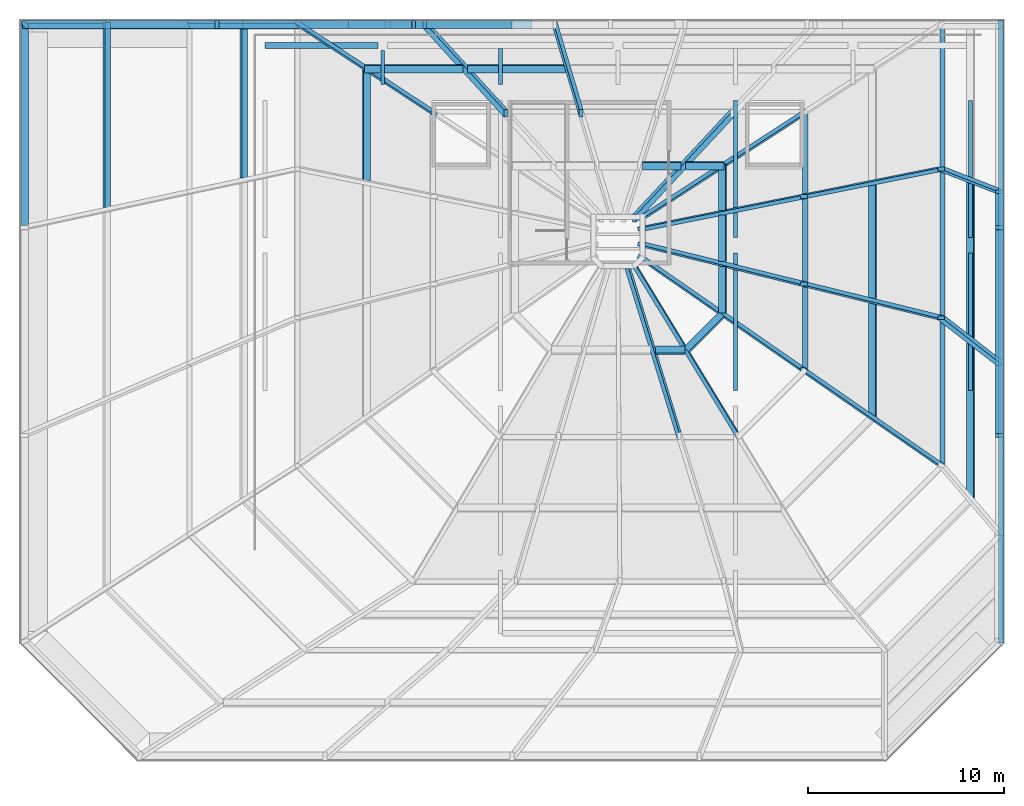
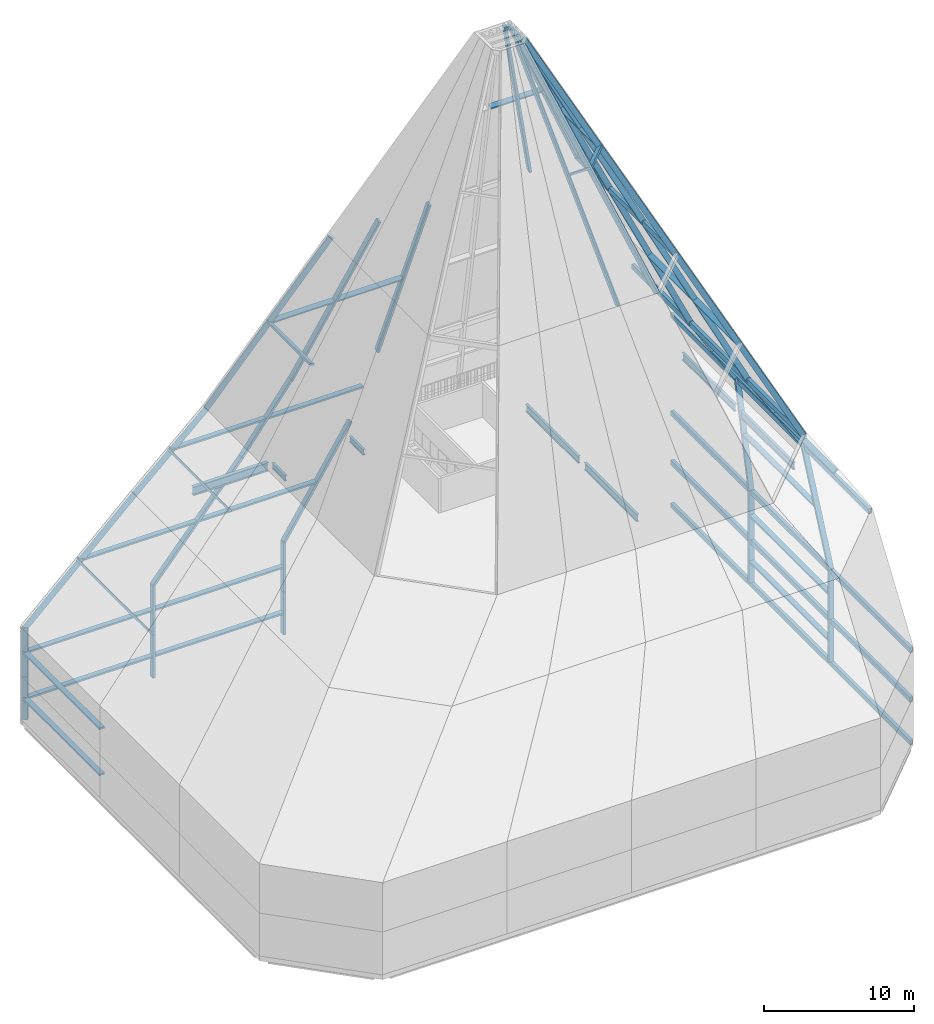
# One storey, part 3 of 7: 67 members, 7 beams.
"""IFC4 building model written with IfcOpenShell, lengths in metres."""

from ifc_helpers import new_model, si_unit, direction, frame, origin, origin_2d, place, context, subcontext, project, spatial, rectangle, i_section, extrude, material, material_profile, profile_set, type_object, element, save


model = new_model("IFC4")

# Units and contexts
model_context = context("Model", 3, precision=1e-05, world=origin(), true_north=direction((0.0, 1.0)))
body_context = subcontext(model_context, "Body", "Model", "MODEL_VIEW")
ifc_project = project(units=[si_unit("LENGTHUNIT", "METRE"), si_unit("AREAUNIT", "SQUARE_METRE"), si_unit("VOLUMEUNIT", "CUBIC_METRE"), si_unit("PLANEANGLEUNIT", "RADIAN"), si_unit("MASSUNIT", "GRAM", prefix="KILO")], contexts=[model_context])

# Site, building, storey
site_placement = place(None, origin())
site = spatial("IfcSite", under=ifc_project, at=site_placement, CompositionType="ELEMENT")
building_placement = place(site_placement, origin())
building = spatial("IfcBuilding", under=site, at=building_placement, Name="Sorahane Residences", CompositionType="ELEMENT")
storey_placement = place(building_placement, frame((0.0, 0.0, 357.800048828125)))
storey = spatial("IfcBuildingStorey", under=building, at=storey_placement, Name="RF", CompositionType="ELEMENT", Elevation=357.800048828125)

# Members
ifc_material_1 = material(Name="Steel Q355B", Category="steel")
ifc_material_profile_1 = material_profile(ifc_material_1, rectangle(XDim=0.199951171875, YDim=0.39990234375, at=origin_2d()), Name="CROWN FRAME hip rib Steel Q355B 200x400")
ifc_profile_set_1 = profile_set([ifc_material_profile_1], Name="Steel Q355B")
member_type_1 = type_object("IfcMemberType", Name="CROWN FRAME hip rib Steel Q355B 200x400", PredefinedType="RAFTER", material=ifc_profile_set_1)
for number, where, z_axis, x_axis, name in (
    (1, (43.469970703125, 28.10009765625, -15.47998046875), (0.0, 0.0, 1.0), (0.0, -1.0, 0.0), "CROWN FRAME hip rib 1.8"),
    (2, (43.469970703125, 38.699951171875, -15.47998046875), (0.0, 0.0, 1.0), (0.0, -1.0, 0.0), "CROWN FRAME hip rib 1.9"),
    (3, (13.580078125, 49.070068359375, -15.47998046875), (0.0, 0.0, 1.0), (1.0, 0.0, 0.0), "CROWN FRAME hip rib 1.13"),
    (4, (3.5400390625, 49.070068359375, -15.47998046875), (0.0, 0.0, 1.0), (1.0, 0.0, 0.0), "CROWN FRAME hip rib 1.14"),
    (5, (-6.2578125, 49.057861328125, -15.47998046875), (0.0, 0.0, 1.0), (0.707106781187, 0.707106781187, 0.0), "CROWN FRAME hip rib 1.15"),
):
    element("IfcMember", number, at=place(storey_placement, frame(where, z_axis=z_axis, x_axis=x_axis)), inside=storey, type_object=member_type_1, Name=name, PredefinedType="RAFTER", context=body_context, shape_type="SweptSolid", body=[
        extrude(rectangle(XDim=0.199951171875, YDim=0.39990234375, at=origin_2d()), origin(), (0.0, 0.0, 1.0), 3.47998046875),
    ])
for number, where, z_axis, x_axis, name in (
    (6, (43.469970703125, 28.10009765625, -12.0), (0.0, 0.0, 1.0), (0.0, -1.0, 0.0), "CROWN FRAME hip rib 2.8"),
    (7, (43.469970703125, 38.699951171875, -12.0), (0.0, 0.0, 1.0), (0.0, -1.0, 0.0), "CROWN FRAME hip rib 2.9"),
    (8, (13.580078125, 49.070068359375, -12.0), (0.0, 0.0, 1.0), (1.0, 0.0, 0.0), "CROWN FRAME hip rib 2.13"),
    (9, (3.5400390625, 49.070068359375, -12.0), (0.0, 0.0, 1.0), (1.0, 0.0, 0.0), "CROWN FRAME hip rib 2.14"),
    (10, (-6.2578125, 49.057861328125, -12.0), (0.0, 0.0, 1.0), (0.707106781187, 0.707106781187, 0.0), "CROWN FRAME hip rib 2.15"),
):
    element("IfcMember", number, at=place(storey_placement, frame(where, z_axis=z_axis, x_axis=x_axis)), inside=storey, type_object=member_type_1, Name=name, PredefinedType="RAFTER", context=body_context, shape_type="SweptSolid", body=[
        extrude(rectangle(XDim=0.199951171875, YDim=0.39990234375, at=origin_2d()), origin(), (0.0, 0.0, 1.0), 4.0),
    ])
member_1_placement = place(storey_placement, frame((43.469970703125, 28.10009765625, -8.0), z_axis=(0.0, 0.416639426094, 0.909071828089), x_axis=(0.0, -0.909071828089, 0.416639426094)))
element("IfcMember", 11, at=member_1_placement, inside=storey, type_object=member_type_1, Name="CROWN FRAME hip rib 3.8", PredefinedType="RAFTER", context=body_context, shape_type="SweptSolid", body=[
    extrude(rectangle(XDim=0.199951171875, YDim=0.39990234375, at=origin_2d()), origin(), (0.0, 0.0, 1.0), 8.80029296875),
])
member_2_placement = place(storey_placement, frame((43.469970703125, 38.699951171875, -8.0), z_axis=(0.0, 0.22336673556, 0.974734477407), x_axis=(0.0, -0.974734477407, 0.22336673556)))
element("IfcMember", 12, at=member_2_placement, inside=storey, type_object=member_type_1, Name="CROWN FRAME hip rib 3.9", PredefinedType="RAFTER", context=body_context, shape_type="SweptSolid", body=[
    extrude(rectangle(XDim=0.199951171875, YDim=0.39990234375, at=origin_2d()), origin(), (0.0, 0.0, 1.0), 8.207275390625),
])
member_3_placement = place(storey_placement, frame((13.580078125, 49.070068359375, -8.0), z_axis=(0.537546360324, 0.0, 0.843234196711), x_axis=(0.843234196711, 0.0, -0.537546360324)))
element("IfcMember", 13, at=member_3_placement, inside=storey, type_object=member_type_1, Name="CROWN FRAME hip rib 3.13", PredefinedType="RAFTER", context=body_context, shape_type="SweptSolid", body=[
    extrude(rectangle(XDim=0.199951171875, YDim=0.39990234375, at=origin_2d()), origin(), (0.0, 0.0, 1.0), 9.4873046875),
])
member_4_placement = place(storey_placement, frame((3.5400390625, 49.070068359375, -8.0), z_axis=(0.647651119943, 0.0, 0.761937022881), x_axis=(0.761937022881, 0.0, -0.647651119943)))
element("IfcMember", 14, at=member_4_placement, inside=storey, type_object=member_type_1, Name="CROWN FRAME hip rib 3.14", PredefinedType="RAFTER", context=body_context, shape_type="SweptSolid", body=[
    extrude(rectangle(XDim=0.199951171875, YDim=0.39990234375, at=origin_2d()), origin(), (0.0, 0.0, 1.0), 10.49951171875),
])
member_5_placement = place(storey_placement, frame((-6.333984375, 49.057861328125, -8.17626953125), z_axis=(0.728199992693, 0.0, 0.685364699005), x_axis=(0.484626026252, 0.707106781187, -0.514915152893)))
element("IfcMember", 15, at=member_5_placement, inside=storey, type_object=member_type_1, Name="CROWN FRAME hip rib 3.15", PredefinedType="RAFTER", context=body_context, shape_type="SweptSolid", body=[
    extrude(rectangle(XDim=0.199951171875, YDim=0.39990234375, at=origin_2d()), origin(), (0.0, 0.0, 1.0), 11.672607421875),
])
member_6_placement = place(storey_placement, frame((43.502685546875, 31.7666015625, -0.118408203125), z_axis=(-0.477665804048, 0.371543762621, 0.796109673413), x_axis=(-0.191180614139, -0.928415441406, 0.318582392696)))
element("IfcMember", 16, at=member_6_placement, inside=storey, type_object=member_type_1, Name="CROWN FRAME hip rib 4.8", PredefinedType="RAFTER", context=body_context, shape_type="SweptSolid", body=[
    extrude(rectangle(XDim=0.199951171875, YDim=0.39990234375, at=origin_2d()), origin(), (0.0, 0.0, 1.0), 6.280517578125),
])
member_7_placement = place(storey_placement, frame((43.502685546875, 40.533203125, -0.118408203125), z_axis=(-0.504495314603, 0.196206307657, 0.840825524339), x_axis=(-0.100963608897, -0.980562636698, 0.168235742903)))
element("IfcMember", 17, at=member_7_placement, inside=storey, type_object=member_type_1, Name="CROWN FRAME hip rib 4.9", PredefinedType="RAFTER", context=body_context, shape_type="SweptSolid", body=[
    extrude(rectangle(XDim=0.199951171875, YDim=0.39990234375, at=origin_2d()), origin(), (0.0, 0.0, 1.0), 5.946533203125),
])
member_8_placement = place(storey_placement, frame((10.340087890625, 49.070068359375, 0.0), z_axis=(0.605063553434, 0.0, 0.796177176454), x_axis=(0.796177176454, 0.0, -0.605063553434)))
element("IfcMember", 18, at=member_8_placement, inside=storey, type_object=member_type_1, Name="CROWN FRAME hip rib 4.14", PredefinedType="RAFTER", context=body_context, shape_type="SweptSolid", body=[
    extrude(rectangle(XDim=0.199951171875, YDim=0.39990234375, at=origin_2d()), origin(), (0.0, 0.0, 1.0), 6.280029296875),
])
member_9_placement = place(storey_placement, frame((2.162841796875, 49.057861328125, -0.17919921875), z_axis=(0.739940073396, 0.0, 0.672672793996), x_axis=(0.475651494154, 0.707106781187, -0.52321664357)))
element("IfcMember", 19, at=member_9_placement, inside=storey, type_object=member_type_1, Name="CROWN FRAME hip rib 4.15", PredefinedType="RAFTER", context=body_context, shape_type="SweptSolid", body=[
    extrude(rectangle(XDim=0.199951171875, YDim=0.39990234375, at=origin_2d()), origin(), (0.0, 0.0, 1.0), 7.43310546875),
])
member_10_placement = place(storey_placement, frame((40.485595703125, 26.586669921875, 4.864501953125), z_axis=(-0.423133670627, 0.293139389248, 0.857337270421), x_axis=(-0.425482750302, -0.899685432557, 0.097624544248)))
element("IfcMember", 20, at=member_10_placement, inside=storey, type_object=member_type_1, Name="CROWN FRAME hip rib 5.7", PredefinedType="RAFTER", context=body_context, shape_type="SweptSolid", body=[
    extrude(rectangle(XDim=0.199951171875, YDim=0.39990234375, at=origin_2d()), origin(), (0.0, 0.0, 1.0), 16.562744140625),
])
member_11_placement = place(storey_placement, frame((40.493896484375, 34.10009765625, 4.898193359375), z_axis=(-0.439985425948, 0.108298917328, 0.89145059844), x_axis=(-0.047902246025, -0.994118374957, 0.097128942125)))
element("IfcMember", 21, at=member_11_placement, inside=storey, type_object=member_type_1, Name="CROWN FRAME hip rib 5.8", PredefinedType="RAFTER", context=body_context, shape_type="SweptSolid", body=[
    extrude(rectangle(XDim=0.199951171875, YDim=0.39990234375, at=origin_2d()), origin(), (0.0, 0.0, 1.0), 15.928955078125),
])
member_12_placement = place(storey_placement, frame((40.493896484375, 41.699951171875, 4.898193359375), z_axis=(-0.440857831304, -0.088349709252, 0.893218171251), x_axis=(0.039077843101, -0.996089518126, -0.079237579834)))
element("IfcMember", 22, at=member_12_placement, inside=storey, type_object=member_type_1, Name="CROWN FRAME hip rib 5.9", PredefinedType="RAFTER", context=body_context, shape_type="SweptSolid", body=[
    extrude(rectangle(XDim=0.199951171875, YDim=0.39990234375, at=origin_2d()), origin(), (0.0, 0.0, 1.0), 15.8974609375),
])
member_13_placement = place(storey_placement, frame((20.780029296875, 49.080810546875, 4.929931640625), z_axis=(0.089975733984, -0.30297485189, 0.948741590959), x_axis=(0.995943957908, 0.027371067978, -0.085711477317)))
element("IfcMember", 23, at=member_13_placement, inside=storey, type_object=member_type_1, Name="CROWN FRAME hip rib 5.13", PredefinedType="RAFTER", context=body_context, shape_type="SweptSolid", body=[
    extrude(rectangle(XDim=0.199951171875, YDim=0.39990234375, at=origin_2d()), origin(), (0.0, 0.0, 1.0), 14.967041015625),
])
member_14_placement = place(storey_placement, frame((14.139892578125, 49.080810546875, 4.929931640625), z_axis=(0.267113236157, -0.293155356203, 0.917992623173), x_axis=(0.963665148548, 0.081281246265, -0.254446144557)))
element("IfcMember", 24, at=member_14_placement, inside=storey, type_object=member_type_1, Name="CROWN FRAME hip rib 5.14", PredefinedType="RAFTER", context=body_context, shape_type="SweptSolid", body=[
    extrude(rectangle(XDim=0.199951171875, YDim=0.39990234375, at=origin_2d()), origin(), (0.0, 0.0, 1.0), 15.468505859375),
])
member_15_placement = place(storey_placement, frame((7.695556640625, 49.093017578125, 4.838623046875), z_axis=(0.420904460616, -0.275962738906, 0.864108790471), x_axis=(0.68281950987, 0.723496114667, -0.10154254774)))
element("IfcMember", 25, at=member_15_placement, inside=storey, type_object=member_type_1, Name="CROWN FRAME hip rib 5.15", PredefinedType="RAFTER", context=body_context, shape_type="SweptSolid", body=[
    extrude(rectangle(XDim=0.199951171875, YDim=0.39990234375, at=origin_2d()), origin(), (0.0, 0.0, 1.0), 16.43310546875),
])
member_16_placement = place(storey_placement, frame((27.132568359375, 28.078857421875, 19.093994140625), z_axis=(-0.140503740591, 0.45699519339, 0.878301822894), x_axis=(-0.990080141803, -0.064755996922, -0.12469151403)))
element("IfcMember", 26, at=member_16_placement, inside=storey, type_object=member_type_1, Name="CROWN FRAME hip rib 6.5", PredefinedType="RAFTER", context=body_context, shape_type="SweptSolid", body=[
    extrude(rectangle(XDim=0.199951171875, YDim=0.39990234375, at=origin_2d()), origin(), (0.0, 0.0, 1.0), 19.0927734375),
])
member_17_placement = place(storey_placement, frame((30.12451171875, 28.087158203125, 19.062255859375), z_axis=(-0.270161675844, 0.443860990805, 0.854400427052), x_axis=(-0.90698577693, -0.415109540962, -0.071139788082)))
element("IfcMember", 27, at=member_17_placement, inside=storey, type_object=member_type_1, Name="CROWN FRAME hip rib 6.6", PredefinedType="RAFTER", context=body_context, shape_type="SweptSolid", body=[
    extrude(rectangle(XDim=0.199951171875, YDim=0.39990234375, at=origin_2d()), origin(), (0.0, 0.0, 1.0), 19.65771484375),
])
member_18_placement = place(storey_placement, frame((33.477294921875, 31.44189453125, 19.064453125), z_axis=(-0.423264377749, 0.293251599094, 0.857234370611), x_axis=(-0.425517333359, -0.899664687751, 0.097664981569)))
element("IfcMember", 28, at=member_18_placement, inside=storey, type_object=member_type_1, Name="CROWN FRAME hip rib 6.7", PredefinedType="RAFTER", context=body_context, shape_type="SweptSolid", body=[
    extrude(rectangle(XDim=0.199951171875, YDim=0.39990234375, at=origin_2d()), origin(), (0.0, 0.0, 1.0), 19.58935546875),
])
member_19_placement = place(storey_placement, frame((33.4853515625, 35.8251953125, 19.09814453125), z_axis=(-0.440559265835, 0.108472898561, 0.891145983307), x_axis=(-0.048025906913, -0.994099405301, 0.097261938317)))
element("IfcMember", 29, at=member_19_placement, inside=storey, type_object=member_type_1, Name="CROWN FRAME hip rib 6.8", PredefinedType="RAFTER", context=body_context, shape_type="SweptSolid", body=[
    extrude(rectangle(XDim=0.199951171875, YDim=0.39990234375, at=origin_2d()), origin(), (0.0, 0.0, 1.0), 18.8203125),
])
member_20_placement = place(storey_placement, frame((33.4853515625, 40.29541015625, 19.09814453125), z_axis=(-0.441399855842, -0.088482722412, 0.892937273887), x_axis=(0.039179292811, -0.996077711158, -0.079335845295)))
element("IfcMember", 30, at=member_20_placement, inside=storey, type_object=member_type_1, Name="CROWN FRAME hip rib 6.9", PredefinedType="RAFTER", context=body_context, shape_type="SweptSolid", body=[
    extrude(rectangle(XDim=0.199951171875, YDim=0.39990234375, at=origin_2d()), origin(), (0.0, 0.0, 1.0), 18.78466796875),
])
member_21_placement = place(storey_placement, frame((33.496826171875, 44.558349609375, 19.037841796875), z_axis=(-0.425485217224, -0.27531322715, 0.862070157748), x_axis=(0.681625247404, -0.724103397908, 0.105172673446)))
element("IfcMember", 31, at=member_21_placement, inside=storey, type_object=member_type_1, Name="CROWN FRAME hip rib 6.10", PredefinedType="RAFTER", context=body_context, shape_type="SweptSolid", body=[
    extrude(rectangle(XDim=0.199951171875, YDim=0.39990234375, at=origin_2d()), origin(), (0.0, 0.0, 1.0), 19.48779296875),
])
member_22_placement = place(storey_placement, frame((29.836669921875, 44.546142578125, 19.1298828125), z_axis=(-0.273255638546, -0.293416686831, 0.916099341716), x_axis=(0.961941424146, -0.08312306277, 0.260306075512)))
element("IfcMember", 32, at=member_22_placement, inside=storey, type_object=member_type_1, Name="CROWN FRAME hip rib 6.11", PredefinedType="RAFTER", context=body_context, shape_type="SweptSolid", body=[
    extrude(rectangle(XDim=0.199951171875, YDim=0.39990234375, at=origin_2d()), origin(), (0.0, 0.0, 1.0), 18.285400390625),
])
ifc_material_2 = material(Name="Steel Q355B", Category="steel")
ifc_material_profile_2 = material_profile(ifc_material_2, rectangle(XDim=0.139892578125, YDim=0.39990234375, at=origin_2d()), Name="CROWN FRAME purlin Steel Q355B 140x400")
ifc_profile_set_2 = profile_set([ifc_material_profile_2], Name="Steel Q355B")
member_type_2 = type_object("IfcMemberType", Name="CROWN FRAME purlin Steel Q355B 140x400", PredefinedType="PURLIN", material=ifc_profile_set_2)
member_23_placement = place(storey_placement, frame((43.469970703125, 28.205078125, -13.739990234375), z_axis=(0.0, 1.0, 0.0), x_axis=(0.0, 0.0, 1.0)))
element("IfcMember", 33, at=member_23_placement, inside=storey, type_object=member_type_2, Name="CROWN FRAME purlin 1.8", PredefinedType="PURLIN", context=body_context, shape_type="SweptSolid", body=[
    extrude(rectangle(XDim=0.139892578125, YDim=0.39990234375, at=origin_2d()), origin(), (0.0, 0.0, 1.0), 10.389892578125),
])
member_24_placement = place(storey_placement, frame((3.64501953125, 49.070068359375, -13.739990234375), z_axis=(1.0, 0.0, 0.0), x_axis=(0.0, 0.0, -1.0)))
element("IfcMember", 34, at=member_24_placement, inside=storey, type_object=member_type_2, Name="CROWN FRAME purlin 1.13", PredefinedType="PURLIN", context=body_context, shape_type="SweptSolid", body=[
    extrude(rectangle(XDim=0.139892578125, YDim=0.39990234375, at=origin_2d()), origin(), (0.0, 0.0, 1.0), 9.830078125),
])
member_25_placement = place(storey_placement, frame((-6.3798828125, 49.070068359375, -13.739990234375), z_axis=(1.0, 0.0, 0.0), x_axis=(0.0, 0.0, -1.0)))
element("IfcMember", 35, at=member_25_placement, inside=storey, type_object=member_type_2, Name="CROWN FRAME purlin 1.14", PredefinedType="PURLIN", context=body_context, shape_type="SweptSolid", body=[
    extrude(rectangle(XDim=0.139892578125, YDim=0.39990234375, at=origin_2d()), origin(), (0.0, 0.0, 1.0), 9.81494140625),
])
member_26_placement = place(storey_placement, frame((-6.27001953125, 38.804931640625, -13.739990234375), z_axis=(0.0, 1.0, 0.0), x_axis=(0.0, 0.0, -1.0)))
element("IfcMember", 36, at=member_26_placement, inside=storey, type_object=member_type_2, Name="CROWN FRAME purlin 1.15", PredefinedType="PURLIN", context=body_context, shape_type="SweptSolid", body=[
    extrude(rectangle(XDim=0.139892578125, YDim=0.39990234375, at=origin_2d()), origin(), (0.0, 0.0, 1.0), 10.375),
])
member_27_placement = place(storey_placement, frame((43.469970703125, 28.205078125, -10.0), z_axis=(0.0, 1.0, 0.0), x_axis=(0.0, 0.0, 1.0)))
element("IfcMember", 37, at=member_27_placement, inside=storey, type_object=member_type_2, Name="CROWN FRAME purlin 2.8", PredefinedType="PURLIN", context=body_context, shape_type="SweptSolid", body=[
    extrude(rectangle(XDim=0.139892578125, YDim=0.39990234375, at=origin_2d()), origin(), (0.0, 0.0, 1.0), 10.389892578125),
])
member_28_placement = place(storey_placement, frame((3.64501953125, 49.070068359375, -10.0), z_axis=(1.0, 0.0, 0.0), x_axis=(0.0, 0.0, -1.0)))
element("IfcMember", 38, at=member_28_placement, inside=storey, type_object=member_type_2, Name="CROWN FRAME purlin 2.13", PredefinedType="PURLIN", context=body_context, shape_type="SweptSolid", body=[
    extrude(rectangle(XDim=0.139892578125, YDim=0.39990234375, at=origin_2d()), origin(), (0.0, 0.0, 1.0), 9.830078125),
])
member_29_placement = place(storey_placement, frame((-6.3798828125, 49.070068359375, -10.0), z_axis=(1.0, 0.0, 0.0), x_axis=(0.0, 0.0, -1.0)))
element("IfcMember", 39, at=member_29_placement, inside=storey, type_object=member_type_2, Name="CROWN FRAME purlin 2.14", PredefinedType="PURLIN", context=body_context, shape_type="SweptSolid", body=[
    extrude(rectangle(XDim=0.139892578125, YDim=0.39990234375, at=origin_2d()), origin(), (0.0, 0.0, 1.0), 9.81494140625),
])
member_30_placement = place(storey_placement, frame((-6.27001953125, 38.804931640625, -10.0), z_axis=(0.0, 1.0, 0.0), x_axis=(0.0, 0.0, -1.0)))
element("IfcMember", 40, at=member_30_placement, inside=storey, type_object=member_type_2, Name="CROWN FRAME purlin 2.15", PredefinedType="PURLIN", context=body_context, shape_type="SweptSolid", body=[
    extrude(rectangle(XDim=0.139892578125, YDim=0.39990234375, at=origin_2d()), origin(), (0.0, 0.0, 1.0), 10.375),
])
member_31_placement = place(storey_placement, frame((43.469970703125, 30.05322265625, -4.0), z_axis=(0.0, 1.0, 0.0), x_axis=(0.0, 0.0, 1.0)))
element("IfcMember", 41, at=member_31_placement, inside=storey, type_object=member_type_2, Name="CROWN FRAME purlin 3.8", PredefinedType="PURLIN", context=body_context, shape_type="SweptSolid", body=[
    extrude(rectangle(XDim=0.139892578125, YDim=0.39990234375, at=origin_2d()), origin(), (0.0, 0.0, 1.0), 9.443359375),
])
for number, where, z_axis, x_axis, name in (
    (42, (7.06005859375, 49.070068359375, -4.0), (1.0, 0.0, 0.0), (0.0, 0.0, -1.0), "CROWN FRAME purlin 3.13"),
    (43, (-2.1298828125, 49.070068359375, -4.0), (1.0, 0.0, 0.0), (0.0, 0.0, -1.0), "CROWN FRAME purlin 3.14"),
):
    element("IfcMember", number, at=place(storey_placement, frame(where, z_axis=z_axis, x_axis=x_axis)), inside=storey, type_object=member_type_2, Name=name, PredefinedType="PURLIN", context=body_context, shape_type="SweptSolid", body=[
        extrude(rectangle(XDim=0.139892578125, YDim=0.39990234375, at=origin_2d()), origin(), (0.0, 0.0, 1.0), 8.949951171875),
    ])
member_32_placement = place(storey_placement, frame((-2.09228515625, 39.73681640625, -4.16748046875), z_axis=(0.0, 1.0, 0.0), x_axis=(-0.728199937801, 0.0, -0.685364757328)))
element("IfcMember", 44, at=member_32_placement, inside=storey, type_object=member_type_2, Name="CROWN FRAME purlin 3.15", PredefinedType="PURLIN", context=body_context, shape_type="SweptSolid", body=[
    extrude(rectangle(XDim=0.139892578125, YDim=0.39990234375, at=origin_2d()), origin(), (0.0, 0.0, 1.0), 9.443115234375),
])
member_33_placement = place(storey_placement, frame((42.002685546875, 24.8701171875, 2.381591796875), z_axis=(0.0, 1.0, 0.0), x_axis=(-0.514496405972, 0.0, 0.857492535386)))
element("IfcMember", 45, at=member_33_placement, inside=storey, type_object=member_type_2, Name="CROWN FRAME purlin 4.7", PredefinedType="PURLIN", context=body_context, shape_type="SweptSolid", body=[
    extrude(rectangle(XDim=0.139892578125, YDim=0.39990234375, at=origin_2d()), origin(), (0.0, 0.0, 1.0), 7.943115234375),
])
member_34_placement = place(storey_placement, frame((42.002685546875, 33.05322265625, 2.381591796875), z_axis=(0.0, 1.0, 0.0), x_axis=(-0.514496405972, 0.0, 0.857492535386)))
element("IfcMember", 46, at=member_34_placement, inside=storey, type_object=member_type_2, Name="CROWN FRAME purlin 4.8", PredefinedType="PURLIN", context=body_context, shape_type="SweptSolid", body=[
    extrude(rectangle(XDim=0.139892578125, YDim=0.39990234375, at=origin_2d()), origin(), (0.0, 0.0, 1.0), 7.943359375),
])
for number, where, z_axis, x_axis, name in (
    (47, (12.360107421875, 49.070068359375, 2.5), (1.0, 0.0, 0.0), (0.0, 0.0, -1.0), "CROWN FRAME purlin 4.13"),
    (48, (4.8701171875, 49.070068359375, 2.5), (1.0, 0.0, 0.0), (0.0, 0.0, -1.0), "CROWN FRAME purlin 4.14"),
):
    element("IfcMember", number, at=place(storey_placement, frame(where, z_axis=z_axis, x_axis=x_axis)), inside=storey, type_object=member_type_2, Name=name, PredefinedType="PURLIN", context=body_context, shape_type="SweptSolid", body=[
        extrude(rectangle(XDim=0.139892578125, YDim=0.39990234375, at=origin_2d()), origin(), (0.0, 0.0, 1.0), 7.25),
    ])
member_35_placement = place(storey_placement, frame((4.90478515625, 41.23681640625, 2.329833984375), z_axis=(0.0, 1.0, 0.0), x_axis=(-0.739939944324, 0.0, -0.672672935976)))
element("IfcMember", 49, at=member_35_placement, inside=storey, type_object=member_type_2, Name="CROWN FRAME purlin 4.15", PredefinedType="PURLIN", context=body_context, shape_type="SweptSolid", body=[
    extrude(rectangle(XDim=0.139892578125, YDim=0.39990234375, at=origin_2d()), origin(), (0.0, 0.0, 1.0), 7.943115234375),
])
member_36_placement = place(storey_placement, frame((36.989501953125, 29.047607421875, 11.998046875), z_axis=(0.0, 1.0, 0.0), x_axis=(-0.442579819819, 0.0, 0.89672911355)))
element("IfcMember", 50, at=member_36_placement, inside=storey, type_object=member_type_2, Name="CROWN FRAME purlin 5.7", PredefinedType="PURLIN", context=body_context, shape_type="SweptSolid", body=[
    extrude(rectangle(XDim=0.139892578125, YDim=0.39990234375, at=origin_2d()), origin(), (0.0, 0.0, 1.0), 5.795166015625),
])
member_37_placement = place(storey_placement, frame((36.989501953125, 35.082763671875, 11.998046875), z_axis=(0.0, 1.0, 0.0), x_axis=(-0.442579819819, 0.0, 0.89672911355)))
element("IfcMember", 51, at=member_37_placement, inside=storey, type_object=member_type_2, Name="CROWN FRAME purlin 5.8", PredefinedType="PURLIN", context=body_context, shape_type="SweptSolid", body=[
    extrude(rectangle(XDim=0.139892578125, YDim=0.39990234375, at=origin_2d()), origin(), (0.0, 0.0, 1.0), 5.794921875),
])
for number, where, z_axis, x_axis, name in (
    (52, (16.325927734375, 46.8134765625, 12.030029296875), (1.0, 0.0, 0.0), (0.0, 0.304215953196, -0.95260309354), "CROWN FRAME purlin 5.13"),
    (53, (11.078369140625, 46.8134765625, 12.030029296875), (1.0, 0.0, 0.0), (0.0, 0.304215953196, -0.95260309354), "CROWN FRAME purlin 5.14"),
):
    element("IfcMember", number, at=place(storey_placement, frame(where, z_axis=z_axis, x_axis=x_axis)), inside=storey, type_object=member_type_2, Name=name, PredefinedType="PURLIN", context=body_context, shape_type="SweptSolid", body=[
        extrude(rectangle(XDim=0.139892578125, YDim=0.39990234375, at=origin_2d()), origin(), (0.0, 0.0, 1.0), 5.007568359375),
    ])
member_38_placement = place(storey_placement, frame((11.165283203125, 41.11767578125, 11.999267578125), z_axis=(0.0, 1.0, 0.0), x_axis=(-0.437909893785, 0.0, -0.899018867947)))
element("IfcMember", 54, at=member_38_placement, inside=storey, type_object=member_type_2, Name="CROWN FRAME purlin 5.15", PredefinedType="PURLIN", context=body_context, shape_type="SweptSolid", body=[
    extrude(rectangle(XDim=0.139892578125, YDim=0.39990234375, at=origin_2d()), origin(), (0.0, 0.0, 1.0), 5.794921875),
])
member_39_placement = place(storey_placement, frame((25.911376953125, 32.44140625, 27.493896484375), z_axis=(1.0, 0.0, 0.0), x_axis=(0.0, 0.460903126932, 0.887450453594)))
element("IfcMember", 55, at=member_39_placement, inside=storey, type_object=member_type_2, Name="CROWN FRAME purlin 6.5", PredefinedType="PURLIN", context=body_context, shape_type="SweptSolid", body=[
    extrude(rectangle(XDim=0.139892578125, YDim=0.39990234375, at=origin_2d()), origin(), (0.0, 0.0, 1.0), 1.524169921875),
])
member_40_placement = place(storey_placement, frame((27.500244140625, 32.46240234375, 27.48291015625), z_axis=(0.707106781187, 0.707106781187, 0.0), x_axis=(-0.359667221764, 0.359667221764, 0.860975597318)))
element("IfcMember", 56, at=member_40_placement, inside=storey, type_object=member_type_2, Name="CROWN FRAME purlin 6.6", PredefinedType="PURLIN", context=body_context, shape_type="SweptSolid", body=[
    extrude(rectangle(XDim=0.139892578125, YDim=0.39990234375, at=origin_2d()), origin(), (0.0, 0.0, 1.0), 2.57470703125),
])
member_41_placement = place(storey_placement, frame((29.339599609375, 34.34765625, 27.498046875), z_axis=(0.0, 1.0, 0.0), x_axis=(-0.442578254731, 0.0, 0.896729885996)))
element("IfcMember", 57, at=member_41_placement, inside=storey, type_object=member_type_2, Name="CROWN FRAME purlin 6.7", PredefinedType="PURLIN", context=body_context, shape_type="SweptSolid", body=[
    extrude(rectangle(XDim=0.139892578125, YDim=0.39990234375, at=origin_2d()), origin(), (0.0, 0.0, 1.0), 2.37841796875),
])
member_42_placement = place(storey_placement, frame((29.339599609375, 36.966064453125, 27.498046875), z_axis=(0.0, 1.0, 0.0), x_axis=(-0.442578254731, 0.0, 0.896729885996)))
element("IfcMember", 58, at=member_42_placement, inside=storey, type_object=member_type_2, Name="CROWN FRAME purlin 6.8", PredefinedType="PURLIN", context=body_context, shape_type="SweptSolid", body=[
    extrude(rectangle(XDim=0.139892578125, YDim=0.39990234375, at=origin_2d()), origin(), (0.0, 0.0, 1.0), 2.378173828125),
])
member_43_placement = place(storey_placement, frame((29.339599609375, 39.584228515625, 27.498046875), z_axis=(0.0, 1.0, 0.0), x_axis=(-0.442578254731, 0.0, 0.896729885996)))
element("IfcMember", 59, at=member_43_placement, inside=storey, type_object=member_type_2, Name="CROWN FRAME purlin 6.9", PredefinedType="PURLIN", context=body_context, shape_type="SweptSolid", body=[
    extrude(rectangle(XDim=0.139892578125, YDim=0.39990234375, at=origin_2d()), origin(), (0.0, 0.0, 1.0), 2.37841796875),
])
for number, where, z_axis, x_axis, name in (
    (60, (27.458251953125, 41.863525390625, 27.530029296875), (1.0, 0.0, 0.0), (0.0, 0.30422094101, -0.952601500656), "CROWN FRAME purlin 6.10"),
    (61, (25.250732421875, 41.863525390625, 27.530029296875), (1.0, 0.0, 0.0), (0.0, 0.30422094101, -0.952601500656), "CROWN FRAME purlin 6.11"),
):
    element("IfcMember", number, at=place(storey_placement, frame(where, z_axis=z_axis, x_axis=x_axis)), inside=storey, type_object=member_type_2, Name=name, PredefinedType="PURLIN", context=body_context, shape_type="SweptSolid", body=[
        extrude(rectangle(XDim=0.139892578125, YDim=0.39990234375, at=origin_2d()), origin(), (0.0, 0.0, 1.0), 1.967529296875),
    ])
ifc_material_3 = material(Name="Steel Q355B", Category="steel")
ifc_material_profile_3 = material_profile(ifc_material_3, rectangle(XDim=0.25, YDim=0.39990234375, at=origin_2d()), Name="CROWN FRAME ring beam Steel Q355B 250x400")
ifc_profile_set_3 = profile_set([ifc_material_profile_3], Name="Steel Q355B")
member_type_3 = type_object("IfcMemberType", Name="CROWN FRAME ring beam Steel Q355B 250x400", PredefinedType="BRACE", material=ifc_profile_set_3)
for number, where, z_axis, x_axis, name in (
    (62, (43.554931640625, 17.5, -15.679931640625), (0.0, 1.0, 0.0), (-1.0, 0.0, 0.0), "CROWN FRAME ring beam 1.4"),
    (63, (43.554931640625, 17.5, -12.199951171875), (0.0, 1.0, 0.0), (-1.0, 0.0, 0.0), "CROWN FRAME ring beam 2.4"),
    (64, (43.554931640625, 17.5, -8.199951171875), (0.0, 1.0, 0.0), (-1.0, 0.0, 0.0), "CROWN FRAME ring beam 3.4"),
):
    element("IfcMember", number, at=place(storey_placement, frame(where, z_axis=z_axis, x_axis=x_axis)), inside=storey, type_object=member_type_3, Name=name, PredefinedType="BRACE", context=body_context, shape_type="SweptSolid", body=[
        extrude(rectangle(XDim=0.25, YDim=0.39990234375, at=origin_2d()), origin(), (0.0, 0.0, 1.0), 31.800048828125),
    ])
member_44_placement = place(storey_placement, frame((43.554931640625, 23.0, -0.25830078125), z_axis=(0.0, 1.0, 0.0), x_axis=(-1.0, 0.0, 0.0)))
element("IfcMember", 65, at=member_44_placement, inside=storey, type_object=member_type_3, Name="CROWN FRAME ring beam 4.4", PredefinedType="BRACE", context=body_context, shape_type="SweptSolid", body=[
    extrude(rectangle(XDim=0.25, YDim=0.39990234375, at=origin_2d()), origin(), (0.0, 0.0, 1.0), 26.300048828125),
])
member_45_placement = place(storey_placement, frame((40.554931640625, 26.5, 4.732177734375), z_axis=(0.0, 1.0, 0.0), x_axis=(-1.0, 0.0, 0.0)))
element("IfcMember", 66, at=member_45_placement, inside=storey, type_object=member_type_3, Name="CROWN FRAME ring beam 5.4", PredefinedType="BRACE", context=body_context, shape_type="SweptSolid", body=[
    extrude(rectangle(XDim=0.25, YDim=0.39990234375, at=origin_2d()), origin(), (0.0, 0.0, 1.0), 22.800048828125),
])
member_46_placement = place(storey_placement, frame((33.546630859375, 31.35546875, 18.93212890625), z_axis=(0.0, 1.0, 0.0), x_axis=(-1.0, 0.0, 0.0)))
element("IfcMember", 67, at=member_46_placement, inside=storey, type_object=member_type_3, Name="CROWN FRAME ring beam 6.4", PredefinedType="BRACE", context=body_context, shape_type="SweptSolid", body=[
    extrude(rectangle(XDim=0.25, YDim=0.39990234375, at=origin_2d()), origin(), (0.0, 0.0, 1.0), 13.40966796875),
])

# Beams
ifc_material_4 = material(Name="Steel Q355B", Category="steel")
ifc_material_profile_4 = material_profile(ifc_material_4, i_section(OverallWidth=0.199951171875, OverallDepth=0.449951171875, WebThickness=0.009033203125, FlangeThickness=0.013916015625, FilletRadius=0.02001953125, at=origin_2d()), Name="HN 450x200x9x14")
ifc_profile_set_4 = profile_set([ifc_material_profile_4], Name="Steel Q355B")
beam_type_1 = type_object("IfcBeamType", Name="Steel floor beam HN 450x200x9x14 Q355B", PredefinedType="BEAM", material=ifc_profile_set_4)
beam_1_placement = place(storey_placement, frame((12.0, 46.0, -0.47509765625), z_axis=(0.0, 1.0, 0.0), x_axis=(-1.0, 0.0, 0.0)))
element("IfcBeam", 68, at=beam_1_placement, inside=storey, type_object=beam_type_1, Name="Beam RF 006", PredefinedType="BEAM", context=body_context, shape_type="SweptSolid", body=[
    extrude(i_section(OverallWidth=0.199951171875, OverallDepth=0.449951171875, WebThickness=0.009033203125, FlangeThickness=0.013916015625, FilletRadius=0.02001953125, at=origin_2d()), origin(), (0.0, 0.0, 1.0), 1.75),
])
beam_2_placement = place(storey_placement, frame((18.0, 46.0, -0.47509765625), z_axis=(0.0, 1.0, 0.0), x_axis=(-1.0, 0.0, 0.0)))
element("IfcBeam", 69, at=beam_2_placement, inside=storey, type_object=beam_type_1, Name="Beam RF 010", PredefinedType="BEAM", context=body_context, shape_type="SweptSolid", body=[
    extrude(i_section(OverallWidth=0.199951171875, OverallDepth=0.449951171875, WebThickness=0.009033203125, FlangeThickness=0.013916015625, FilletRadius=0.02001953125, at=origin_2d()), origin(), (0.0, 0.0, 1.0), 1.85009765625),
])
ifc_material_5 = material(Name="Steel Q355B", Category="steel")
ifc_material_profile_5 = material_profile(ifc_material_5, i_section(OverallWidth=0.199951171875, OverallDepth=0.60009765625, WebThickness=0.010986328125, FlangeThickness=0.01708984375, FilletRadius=0.02392578125, at=origin_2d()), Name="HN 600x200x11x17")
ifc_profile_set_5 = profile_set([ifc_material_profile_5], Name="Steel Q355B")
beam_type_2 = type_object("IfcBeamType", Name="Steel floor beam HN 600x200x11x17 Q355B", PredefinedType="BEAM", material=ifc_profile_set_5)
for number, where, z_axis, x_axis, name in (
    (70, (30.0, 30.39990234375, -0.550048828125), (0.0, 1.0, 0.0), (-1.0, 0.0, 0.0), "Beam RF 014"),
    (71, (30.0, 38.199951171875, -0.550048828125), (0.0, 1.0, 0.0), (-1.0, 0.0, 0.0), "Beam RF 015"),
    (72, (42.0, 30.39990234375, -0.550048828125), (0.0, 1.0, 0.0), (-1.0, 0.0, 0.0), "Beam RF 019"),
    (73, (42.0, 38.199951171875, -0.550048828125), (0.0, 1.0, 0.0), (-1.0, 0.0, 0.0), "Beam RF 020"),
):
    element("IfcBeam", number, at=place(storey_placement, frame(where, z_axis=z_axis, x_axis=x_axis)), inside=storey, type_object=beam_type_2, Name=name, PredefinedType="BEAM", context=body_context, shape_type="SweptSolid", body=[
        extrude(i_section(OverallWidth=0.199951171875, OverallDepth=0.60009765625, WebThickness=0.010986328125, FlangeThickness=0.01708984375, FilletRadius=0.02392578125, at=origin_2d()), origin(), (0.0, 0.0, 1.0), 7.0),
    ])
ifc_material_6 = material(Name="Steel Q355B", Category="steel")
ifc_material_profile_6 = material_profile(ifc_material_6, i_section(OverallWidth=0.300048828125, OverallDepth=0.699951171875, WebThickness=0.012939453125, FlangeThickness=0.02392578125, FilletRadius=0.028076171875, at=origin_2d()), Name="HN 700x300x13x24")
ifc_profile_set_6 = profile_set([ifc_material_profile_6], Name="Steel Q355B")
beam_type_3 = type_object("IfcBeamType", Name="Steel floor beam HN 700x300x13x24 Q355B", PredefinedType="BEAM", material=ifc_profile_set_6)
beam_3_placement = place(storey_placement, frame((6.0, 48.0, -0.60009765625), z_axis=(1.0, 0.0, 0.0), x_axis=(0.0, 1.0, 0.0)))
element("IfcBeam", 74, at=beam_3_placement, inside=storey, type_object=beam_type_3, Name="Beam RF 002", PredefinedType="BEAM", context=body_context, shape_type="SweptSolid", body=[
    extrude(i_section(OverallWidth=0.300048828125, OverallDepth=0.699951171875, WebThickness=0.012939453125, FlangeThickness=0.02392578125, FilletRadius=0.028076171875, at=origin_2d()), origin(), (0.0, 0.0, 1.0), 5.75),
])

save(model, "model.ifc")
